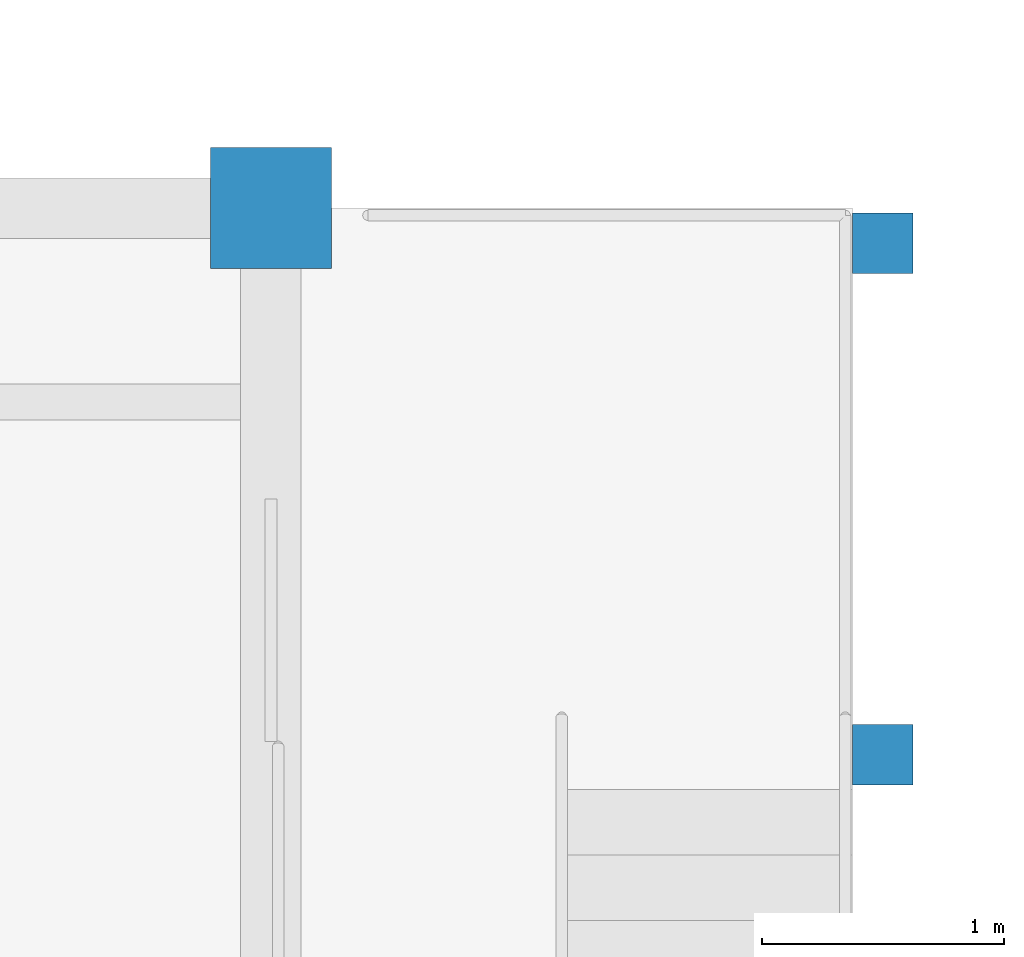
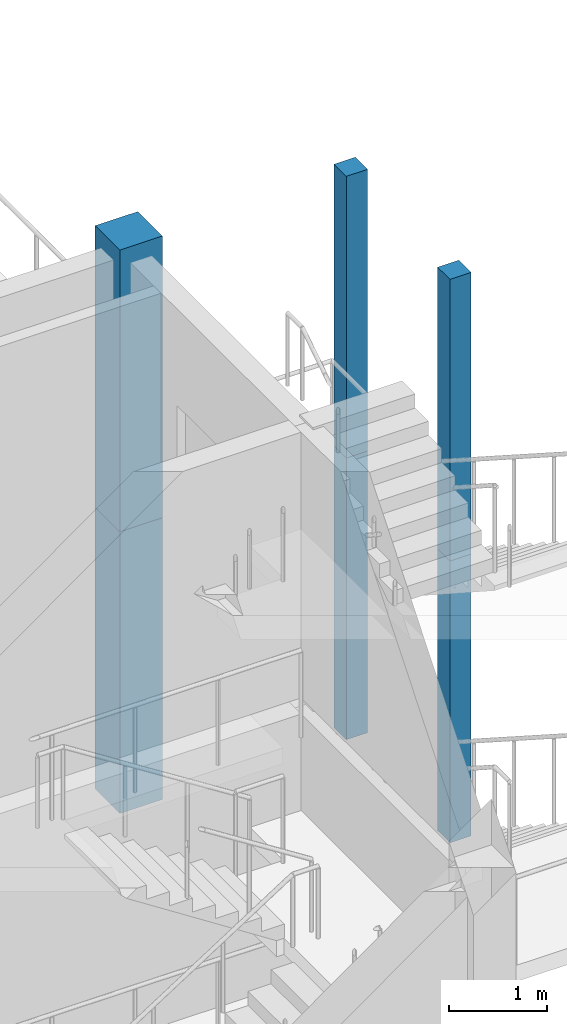
# One storey, part 5 of 103: 6 columns.
"""IFC4 building model written with IfcOpenShell, lengths in metres."""

from ifc_helpers import new_model, si_unit, direction, frame, origin, origin_2d, place, context, subcontext, project, spatial, rectangle, extrude, material, material_profile, profile_set, type_object, element, save


model = new_model("IFC4")

# Units and contexts
model_context = context("Model", 3, precision=1e-05, world=origin(), true_north=direction((0.0, 1.0)))
body_context = subcontext(model_context, "Body", "Model", "MODEL_VIEW")
ifc_project = project(units=[si_unit("LENGTHUNIT", "METRE"), si_unit("AREAUNIT", "SQUARE_METRE"), si_unit("VOLUMEUNIT", "CUBIC_METRE"), si_unit("PLANEANGLEUNIT", "RADIAN"), si_unit("MASSUNIT", "GRAM", prefix="KILO")], contexts=[model_context])

# Site, building, storey
site_placement = place(None, origin())
site = spatial("IfcSite", under=ifc_project, at=site_placement, CompositionType="ELEMENT")
building_placement = place(site_placement, origin())
building = spatial("IfcBuilding", under=site, at=building_placement, Name="Laocheng Heights Fire and Rescue Headquarters", CompositionType="ELEMENT")
storey_placement = place(building_placement, frame((0.0, 0.0, 4.199951171875)))
storey = spatial("IfcBuildingStorey", under=building, at=storey_placement, Name="L01", CompositionType="ELEMENT", Elevation=4.199951171875)

# Columns
ifc_material_1 = material(Name="Concrete C50", Category="concrete")
ifc_material_profile_1 = material_profile(ifc_material_1, rectangle(XDim=0.5, YDim=0.5, at=origin_2d()), Name="RC COLUMN 500x500 C50 DRILL TOWER")
ifc_profile_set_1 = profile_set([ifc_material_profile_1], Name="Concrete C50")
column_type_1 = type_object("IfcColumnType", Name="RC COLUMN 500x500 C50 DRILL TOWER", PredefinedType="COLUMN", material=ifc_profile_set_1)
for number, where, z_axis, x_axis, name in (
    (1, (126.0, 35.199951171875, -0.699951171875), (0.0, 0.0, 1.0), (1.0, 0.0, 0.0), "Drill tower column F2 126/35.2"),
    (2, (126.0, 35.199951171875, 2.800048828125), (0.0, 0.0, 1.0), (1.0, 0.0, 0.0), "Drill tower column F3 126/35.2"),
):
    element("IfcColumn", number, at=place(storey_placement, frame(where, z_axis=z_axis, x_axis=x_axis)), inside=storey, type_object=column_type_1, Name=name, PredefinedType="COLUMN", context=body_context, shape_type="SweptSolid", body=[
        extrude(rectangle(XDim=0.5, YDim=0.5, at=origin_2d()), origin(), (0.0, 0.0, 1.0), 3.5),
    ])
ifc_material_2 = material(Name="Concrete C40", Category="concrete")
ifc_material_profile_2 = material_profile(ifc_material_2, rectangle(XDim=0.25, YDim=0.25, at=origin_2d()), Name="STAIR LANDING POST 250x250")
ifc_profile_set_2 = profile_set([ifc_material_profile_2], Name="Concrete C40")
column_type_2 = type_object("IfcColumnType", Name="STAIR LANDING POST 250x250", PredefinedType="COLUMN", material=ifc_profile_set_2)
for number, where, z_axis, x_axis, name in (
    (3, (128.52490234375, 32.945068359375, -0.699951171875), (0.0, 0.0, 1.0), (1.0, 0.0, 0.0), "Stair T2 landing post F2 1"),
    (4, (128.52490234375, 35.054931640625, -0.699951171875), (0.0, 0.0, 1.0), (1.0, 0.0, 0.0), "Stair T2 landing post F2 2"),
    (5, (128.52490234375, 32.945068359375, 2.800048828125), (0.0, 0.0, 1.0), (1.0, 0.0, 0.0), "Stair T2 landing post F3 1"),
    (6, (128.52490234375, 35.054931640625, 2.800048828125), (0.0, 0.0, 1.0), (1.0, 0.0, 0.0), "Stair T2 landing post F3 2"),
):
    element("IfcColumn", number, at=place(storey_placement, frame(where, z_axis=z_axis, x_axis=x_axis)), inside=storey, type_object=column_type_2, Name=name, PredefinedType="COLUMN", context=body_context, shape_type="SweptSolid", body=[
        extrude(rectangle(XDim=0.25, YDim=0.25, at=origin_2d()), origin(), (0.0, 0.0, 1.0), 3.5),
    ])

save(model, "model.ifc")
